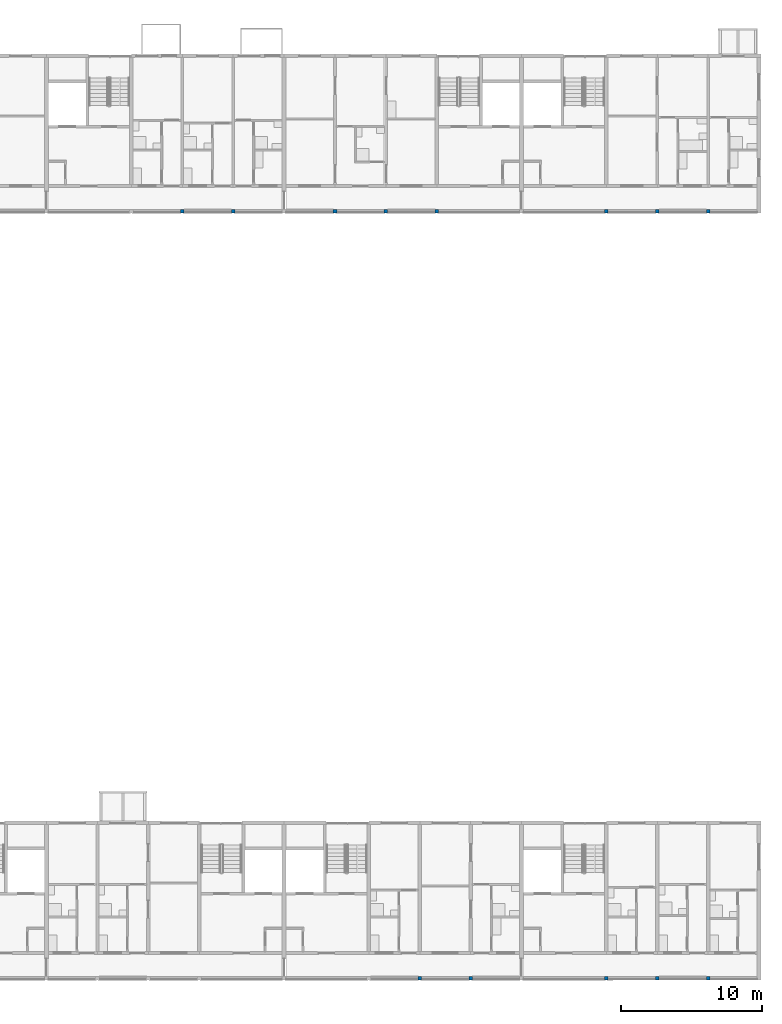
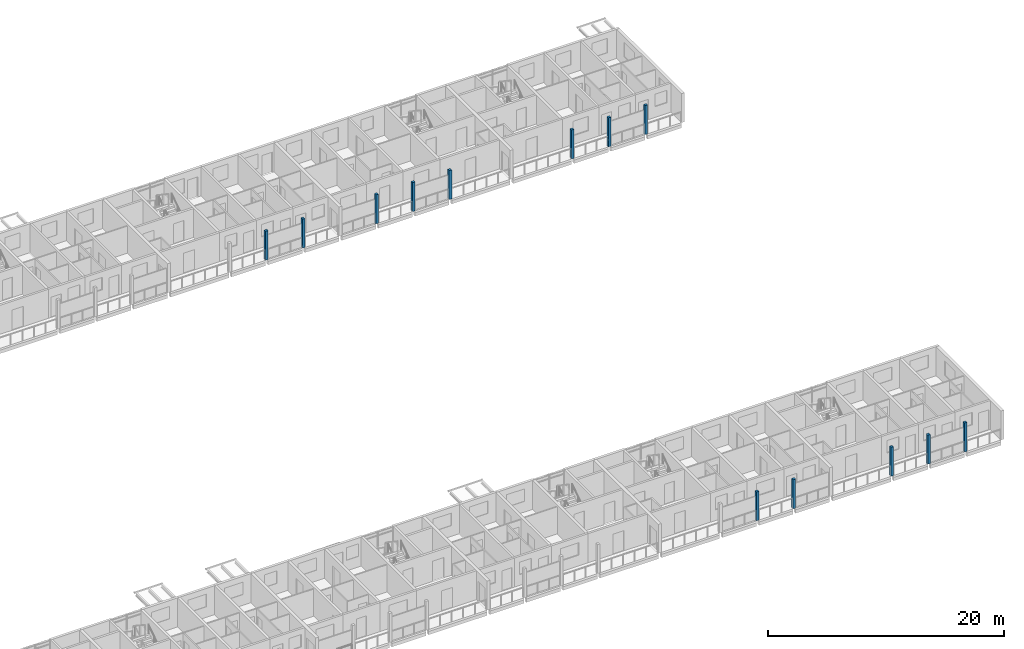
# One storey, part 4 of 98: 13 columns.
"""IFC4 building model written with IfcOpenShell, lengths in metres."""

from ifc_helpers import new_model, si_unit, direction, frame, origin, origin_2d, place, context, subcontext, project, spatial, rectangle, extrude, material, material_profile, profile_set, type_object, element, save


model = new_model("IFC4")

# Units and contexts
model_context = context("Model", 3, precision=1e-05, world=origin(), true_north=direction((0.0, 1.0)))
body_context = subcontext(model_context, "Body", "Model", "MODEL_VIEW")
ifc_project = project(units=[si_unit("LENGTHUNIT", "METRE"), si_unit("AREAUNIT", "SQUARE_METRE"), si_unit("VOLUMEUNIT", "CUBIC_METRE"), si_unit("PLANEANGLEUNIT", "RADIAN"), si_unit("MASSUNIT", "GRAM", prefix="KILO")], contexts=[model_context])

# Site, building, storey
site_placement = place(None, origin())
site = spatial("IfcSite", under=ifc_project, at=site_placement, CompositionType="ELEMENT")
building_placement = place(site_placement, origin())
building = spatial("IfcBuilding", under=site, at=building_placement, Name="Ridgestep Commons", CompositionType="ELEMENT")
storey_placement = place(building_placement, frame((0.0, 0.0, 12.0)))
storey = spatial("IfcBuildingStorey", under=building, at=storey_placement, Name="L04", CompositionType="ELEMENT", Elevation=12.0)

# Columns
ifc_material = material(Name="Precast concrete C40/50", Category="concrete")
ifc_material_profile = material_profile(ifc_material, rectangle(XDim=0.25, YDim=0.25, at=origin_2d()), Name="PC 250x250")
ifc_profile_set = profile_set([ifc_material_profile], Name="Precast concrete C40/50")
column_type = type_object("IfcColumnType", Name="Loggia column 250 x 250", PredefinedType="COLUMN", material=ifc_profile_set)
for number, where, z_axis, x_axis, name in (
    (1, (206.800048828125, 66.125, 0.0), (0.0, 0.0, 1.0), (1.0, 0.0, 0.0), "Loggia column C L04"),
    (2, (210.39990234375, 66.125, 0.0), (0.0, 0.0, 1.0), (1.0, 0.0, 0.0), "Loggia column C L04"),
    (3, (217.60009765625, 66.125, 0.0), (0.0, 0.0, 1.0), (1.0, 0.0, 0.0), "Loggia column C L04"),
    (4, (221.199951171875, 66.125, 0.0), (0.0, 0.0, 1.0), (1.0, 0.0, 0.0), "Loggia column C L04"),
    (5, (224.800048828125, 66.125, 0.0), (0.0, 0.0, 1.0), (1.0, 0.0, 0.0), "Loggia column C L04"),
    (6, (236.800048828125, 66.125, 0.0), (0.0, 0.0, 1.0), (1.0, 0.0, 0.0), "Loggia column C L04"),
    (7, (240.39990234375, 66.125, 0.0), (0.0, 0.0, 1.0), (1.0, 0.0, 0.0), "Loggia column C L04"),
    (8, (244.0, 66.125, 0.0), (0.0, 0.0, 1.0), (1.0, 0.0, 0.0), "Loggia column C L04"),
    (9, (223.60009765625, 11.875, 0.0), (0.0, 0.0, 1.0), (1.0, 0.0, 0.0), "Loggia column D L04"),
    (10, (227.199951171875, 11.875, 0.0), (0.0, 0.0, 1.0), (1.0, 0.0, 0.0), "Loggia column D L04"),
    (11, (236.800048828125, 11.875, 0.0), (0.0, 0.0, 1.0), (1.0, 0.0, 0.0), "Loggia column D L04"),
    (12, (240.39990234375, 11.875, 0.0), (0.0, 0.0, 1.0), (1.0, 0.0, 0.0), "Loggia column D L04"),
    (13, (244.0, 11.875, 0.0), (0.0, 0.0, 1.0), (1.0, 0.0, 0.0), "Loggia column D L04"),
):
    element("IfcColumn", number, at=place(storey_placement, frame(where, z_axis=z_axis, x_axis=x_axis)), inside=storey, type_object=column_type, Name=name, PredefinedType="COLUMN", context=body_context, shape_type="SweptSolid", body=[
        extrude(rectangle(XDim=0.25, YDim=0.25, at=origin_2d()), origin(), (0.0, 0.0, 1.0), 3.0),
    ])

save(model, "model.ifc")
